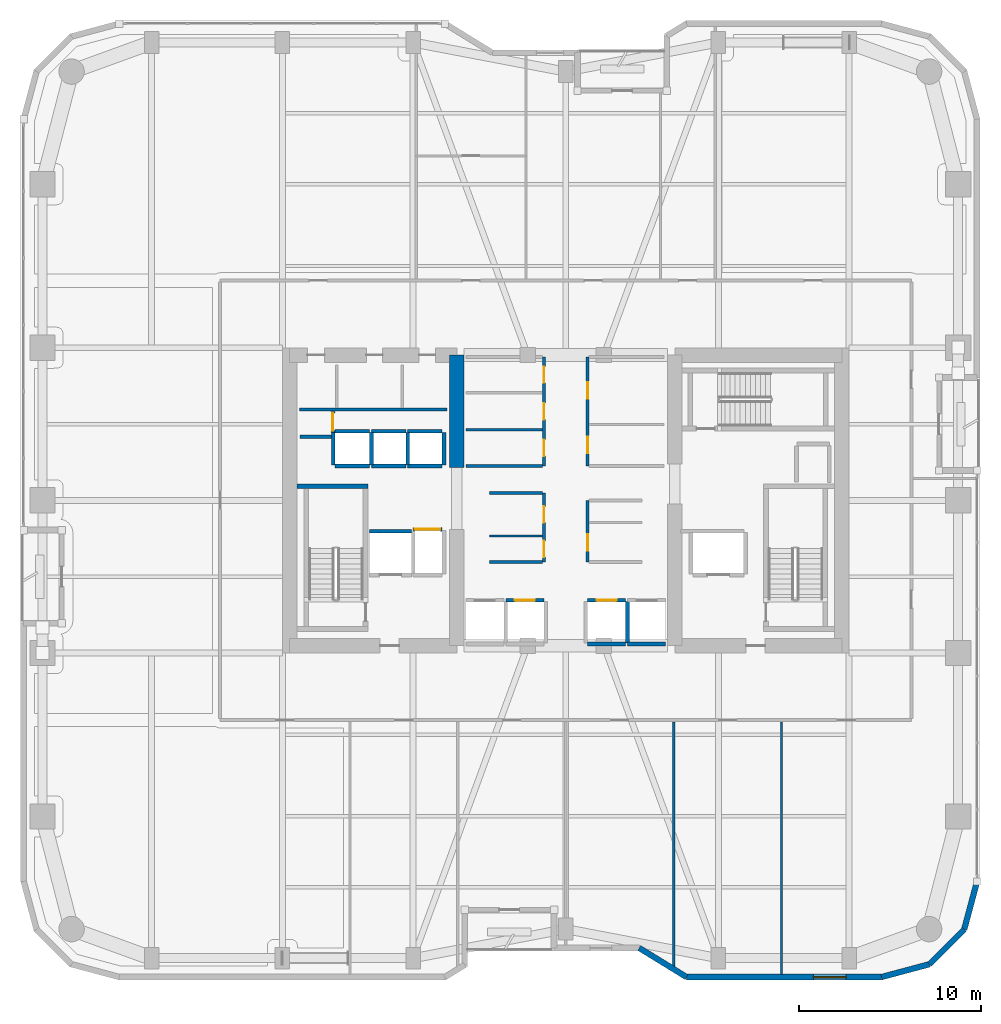
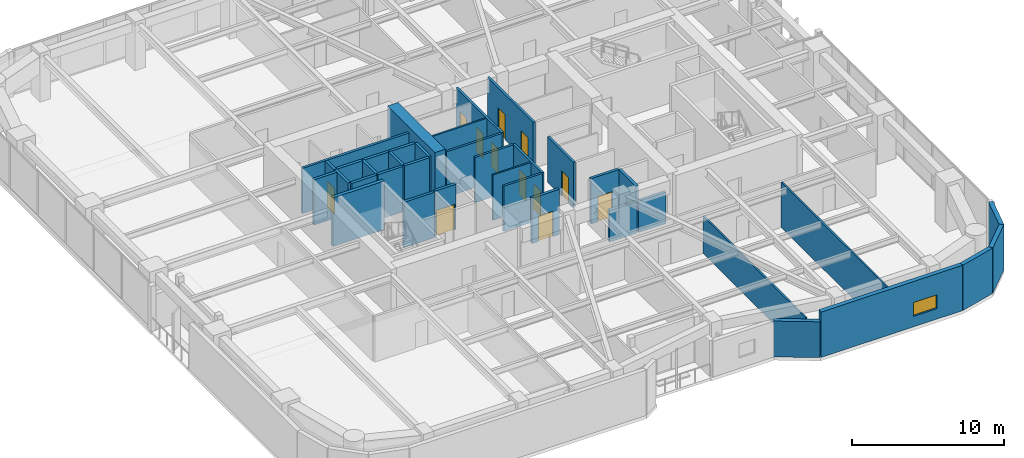
# One storey, part 19 of 24: 38 walls, 12 doors, 1 window, 13 openings.
"""IFC4 building model written with IfcOpenShell, lengths in metres."""

from ifc_helpers import new_model, si_unit, direction, frame, frame_2d, origin, place, context, subcontext, project, spatial, rectangle, extrude, material, layer, layer_set, type_object, element, fill, save


model = new_model("IFC4")

# Units and contexts
model_context = context("Model", 3, precision=1e-05, world=origin(), true_north=direction((0.0, 1.0)))
body_context = subcontext(model_context, "Body", "Model", "MODEL_VIEW")
ifc_project = project(units=[si_unit("LENGTHUNIT", "METRE"), si_unit("AREAUNIT", "SQUARE_METRE"), si_unit("VOLUMEUNIT", "CUBIC_METRE"), si_unit("PLANEANGLEUNIT", "RADIAN"), si_unit("MASSUNIT", "GRAM", prefix="KILO")], contexts=[model_context])

# Site, building, storey
site_placement = place(None, origin())
site = spatial("IfcSite", under=ifc_project, at=site_placement, CompositionType="ELEMENT")
building_placement = place(site_placement, origin())
building = spatial("IfcBuilding", under=site, at=building_placement, Name="Kiyonajd Concourse Tower", CompositionType="ELEMENT")
storey_placement = place(building_placement, frame((0.0, 0.0, 97.5)))
storey = spatial("IfcBuildingStorey", under=building, at=storey_placement, Name="L25", CompositionType="ELEMENT", Elevation=97.5)

# Walls
ifc_material_1 = material(Name="Concrete C70/85", Category="concrete")
ifc_layer_1 = layer(ifc_material_1, 0.800048828125)
ifc_layer_set_1 = layer_set([ifc_layer_1], Name="Concrete C70/85")
wall_type_1 = type_object("IfcWallType", Name="WL-CORE-800", PredefinedType="SHEAR", material=ifc_layer_set_1)
wall_1_placement = place(storey_placement, frame((42.0, 37.800048828125, 0.0), z_axis=(0.0, 0.0, 1.0), x_axis=(0.0, 1.0, 0.0)))
element("IfcWall", 1, at=wall_1_placement, inside=storey, type_object=wall_type_1, Name="L25 West Core Inner North Shear Wall", PredefinedType="SHEAR", context=body_context, shape_type="SweptSolid", body=[
    extrude(rectangle(XDim=6.199951171875, YDim=0.800048828125, at=frame_2d((3.10009765625, 0.0))), origin(), (0.0, 0.0, 1.0), 3.89990234375),
])
ifc_material_2 = material(Name="Precast concrete C50/60", Category="concrete")
ifc_layer_2 = layer(ifc_material_2, 0.320068359375)
ifc_layer_set_2 = layer_set([ifc_layer_2], Name="Precast concrete C50/60")
wall_type_2 = type_object("IfcWallType", Name="WL-EXT-320", PredefinedType="SOLIDWALL", material=ifc_layer_set_2)
wall_2_placement = place(storey_placement, frame((70.639892578125, 15.02099609375, 0.0), z_axis=(0.0, 0.0, 1.0), x_axis=(-0.258613949072, -0.965980758269, 0.0)))
element("IfcWall", 2, at=wall_2_placement, inside=storey, type_object=wall_type_2, Name="L25 Exterior Concrete Frame Wall 25", PredefinedType="SOLIDWALL", context=body_context, shape_type="SweptSolid", body=[
    extrude(rectangle(XDim=2.731201171875, YDim=0.320068359375, at=frame_2d((1.36572265625, 0.0))), origin(), (0.0, 0.0, 1.0), 3.639892578125),
])
wall_3_placement = place(storey_placement, frame((69.93359375, 12.3828125, 0.0), z_axis=(0.0, 0.0, 1.0), x_axis=(-0.707151821269, -0.707061738235, 0.0)))
element("IfcWall", 3, at=wall_3_placement, inside=storey, type_object=wall_type_2, Name="L25 Exterior Concrete Frame Wall 26", PredefinedType="SOLIDWALL", context=body_context, shape_type="SweptSolid", body=[
    extrude(rectangle(XDim=2.710205078125, YDim=0.320068359375, at=frame_2d((1.35498046875, 0.0))), origin(), (0.0, 0.0, 1.0), 3.639892578125),
])
wall_4_placement = place(storey_placement, frame((68.01708984375, 10.466552734375, 0.0), z_axis=(0.0, 0.0, 1.0), x_axis=(-0.965958423373, -0.25869736047, 0.0)))
element("IfcWall", 4, at=wall_4_placement, inside=storey, type_object=wall_type_2, Name="L25 Exterior Concrete Frame Wall 27", PredefinedType="SOLIDWALL", context=body_context, shape_type="SweptSolid", body=[
    extrude(rectangle(XDim=2.731201171875, YDim=0.320068359375, at=frame_2d((1.36572265625, 0.0))), origin(), (0.0, 0.0, 1.0), 3.639892578125),
])

# Wall, opening, window
wall_5_placement = place(storey_placement, frame((65.37890625, 9.760009765625, 0.0), z_axis=(0.0, 0.0, 1.0), x_axis=(-1.0, 0.0, 0.0)))
wall_5 = element("IfcWall", 5, at=wall_5_placement, inside=storey, type_object=wall_type_2, Name="L25 Exterior Concrete Frame Wall 28", PredefinedType="SOLIDWALL", context=body_context, shape_type="SweptSolid", body=[
    extrude(rectangle(XDim=10.733642578125, YDim=0.320068359375, at=frame_2d((5.36669921875, 0.0))), origin(), (0.0, 0.0, 1.0), 3.639892578125),
])
opening_1_placement = place(wall_5_placement, frame((1.944091796875, 0.0, 0.85009765625)))
opening_1 = element("IfcOpeningElement", 6, at=opening_1_placement, cuts=wall_5, Name="Opening WN1", PredefinedType="OPENING", context=body_context, shape_type="SweptSolid", body=[
    extrude(rectangle(XDim=1.800048828125, YDim=1.10009765625, at=frame_2d((0.89990234375, 0.550048828125))), frame((0.0, 0.169921875, 0.0), z_axis=(0.0, -1.0, 0.0), x_axis=(1.0, 0.0, 0.0)), (0.0, 0.0, 1.0), 0.340087890625),
])
ifc_material_3 = material(Name="Double Low-E Insulated Glass", Category="glass")
window_type = type_object("IfcWindowType", Name="WN-VIS-1800x1100", PartitioningType="SINGLE_PANEL", PredefinedType="WINDOW", material=ifc_material_3)
window_placement = place(opening_1_placement, origin())
window = element("IfcWindow", 7, at=window_placement, inside=storey, type_object=window_type, Name="L25 Modular Facade Vision Window 28", OverallHeight=1.10009765625, OverallWidth=1.800048828125, PartitioningType="SINGLE_PANEL", PredefinedType="WINDOW", context=body_context, shape_type="SweptSolid", body=[
    extrude(rectangle(XDim=1.800048828125, YDim=1.10009765625, at=frame_2d((0.89990234375, 0.550048828125))), frame((0.0, 0.030029296875, 0.0), z_axis=(0.0, -1.0, 0.0), x_axis=(1.0, 0.0, 0.0)), (0.0, 0.0, 1.0), 0.06005859375),
])
fill(opening_1, window)

# Walls
wall_6_placement = place(storey_placement, frame((54.645263671875, 9.760009765625, 0.0), z_axis=(0.0, 0.0, 1.0), x_axis=(-0.851630857047, 0.524142044989, 0.0)))
element("IfcWall", 8, at=wall_6_placement, inside=storey, type_object=wall_type_2, Name="L25 Exterior Concrete Frame Wall 29", PredefinedType="SOLIDWALL", context=body_context, shape_type="SweptSolid", body=[
    extrude(rectangle(XDim=3.052734375, YDim=0.320068359375, at=frame_2d((1.5263671875, 0.0))), origin(), (0.0, 0.0, 1.0), 2.875),
])
ifc_material_4 = material(Name="Gypsum Board on Cold-Formed Steel Stud", Category="steel")
ifc_layer_3 = layer(ifc_material_4, 0.125)
ifc_layer_set_3 = layer_set([ifc_layer_3], Name="Gypsum Board on Cold-Formed Steel Stud")
wall_type_3 = type_object("IfcWallType", Name="WL-PART-125", PredefinedType="PARTITIONING", material=ifc_layer_set_3)
wall_7_placement = place(storey_placement, frame((43.800048828125, 34.0439453125, 0.0), z_axis=(0.0, 0.0, 1.0), x_axis=(1.0, 0.0, 0.0)))
element("IfcWall", 9, at=wall_7_placement, inside=storey, type_object=wall_type_3, Name="L25 Interior Partition Wall", PredefinedType="PARTITIONING", context=body_context, shape_type="SweptSolid", body=[
    extrude(rectangle(XDim=2.912841796875, YDim=0.125, at=frame_2d((1.45654296875, 0.0))), origin(), (0.0, 0.0, 1.0), 3.639892578125),
])
wall_8_placement = place(storey_placement, frame((42.5, 39.8798828125, 0.0), z_axis=(0.0, 0.0, 1.0), x_axis=(1.0, 0.0, 0.0)))
element("IfcWall", 10, at=wall_8_placement, inside=storey, type_object=wall_type_3, Name="L25 Interior Partition Wall", PredefinedType="PARTITIONING", context=body_context, shape_type="SweptSolid", body=[
    extrude(rectangle(XDim=4.212890625, YDim=0.125, at=frame_2d((2.1064453125, 0.0))), origin(), (0.0, 0.0, 1.0), 3.639892578125),
])
wall_9_placement = place(storey_placement, frame((53.93994140625, 10.34912109375, 0.0), z_axis=(0.0, 0.0, 1.0), x_axis=(0.0, 1.0, 0.0)))
element("IfcWall", 11, at=wall_9_placement, inside=storey, type_object=wall_type_3, Name="L25 Interior Partition Wall", PredefinedType="PARTITIONING", context=body_context, shape_type="SweptSolid", body=[
    extrude(rectangle(XDim=13.4638671875, YDim=0.125, at=frame_2d((6.73193359375, 0.0))), origin(), (0.0, 0.0, 1.0), 3.0029296875),
])
wall_10_placement = place(storey_placement, frame((59.8798828125, 9.9150390625, 0.0), z_axis=(0.0, 0.0, 1.0), x_axis=(0.0, 1.0, 0.0)))
element("IfcWall", 12, at=wall_10_placement, inside=storey, type_object=wall_type_3, Name="L25 Interior Partition Wall", PredefinedType="PARTITIONING", context=body_context, shape_type="SweptSolid", body=[
    extrude(rectangle(XDim=13.89794921875, YDim=0.125, at=frame_2d((6.948974609375, 0.0))), origin(), (0.0, 0.0, 1.0), 3.639892578125),
])
ifc_layer_4 = layer(ifc_material_4, 0.18994140625)
ifc_layer_set_4 = layer_set([ifc_layer_4], Name="Gypsum Board on Cold-Formed Steel Stud")
wall_type_4 = type_object("IfcWallType", Name="WL-PLMB-190", PredefinedType="PLUMBINGWALL", material=ifc_layer_set_4)
wall_11_placement = place(storey_placement, frame((33.35009765625, 41.0, 0.0), z_axis=(0.0, 0.0, 1.0), x_axis=(1.0, 0.0, 0.0)))
element("IfcWall", 13, at=wall_11_placement, inside=storey, type_object=wall_type_4, Name="L25 Interior Partition Wall", PredefinedType="PLUMBINGWALL", context=body_context, shape_type="SweptSolid", body=[
    extrude(rectangle(XDim=8.099853515625, YDim=0.18994140625, at=frame_2d((4.0498046875, 0.0))), origin(), (0.0, 0.0, 1.0), 3.639892578125),
])
ifc_layer_5 = layer(ifc_material_4, 0.2099609375)
ifc_layer_set_5 = layer_set([ifc_layer_5], Name="Gypsum Board on Cold-Formed Steel Stud")
wall_type_5 = type_object("IfcWallType", Name="WL-SHAFT-210", PredefinedType="PARTITIONING", material=ifc_layer_set_5)
wall_12_placement = place(storey_placement, frame((33.360107421875, 39.5, 0.0), z_axis=(0.0, 0.0, 1.0), x_axis=(1.0, 0.0, 0.0)))
element("IfcWall", 14, at=wall_12_placement, inside=storey, type_object=wall_type_5, Name="L25 Shaft Enclosure Wall", PredefinedType="PARTITIONING", context=body_context, shape_type="SweptSolid", body=[
    extrude(rectangle(XDim=1.85986328125, YDim=0.2099609375, at=frame_2d((0.929931640625, 0.0))), origin(), (0.0, 0.0, 1.0), 3.639892578125),
])
wall_13_placement = place(storey_placement, frame((37.199951171875, 34.300048828125, 0.0), z_axis=(0.0, 0.0, 1.0), x_axis=(1.0, 0.0, 0.0)))
element("IfcWall", 15, at=wall_13_placement, inside=storey, type_object=wall_type_5, Name="L25 Shaft Enclosure Wall", PredefinedType="PARTITIONING", context=body_context, shape_type="SweptSolid", body=[
    extrude(rectangle(XDim=2.300048828125, YDim=0.2099609375, at=frame_2d((1.14990234375, 0.0))), origin(), (0.0, 0.0, 1.0), 3.639892578125),
])

# Wall, opening, door
wall_14_placement = place(storey_placement, frame((39.60009765625, 34.39990234375, 0.0), z_axis=(0.0, 0.0, 1.0), x_axis=(1.0, 0.0, 0.0)))
wall_14 = element("IfcWall", 16, at=wall_14_placement, inside=storey, type_object=wall_type_5, Name="L25 Shaft Enclosure Wall", PredefinedType="PARTITIONING", context=body_context, shape_type="SweptSolid", body=[
    extrude(rectangle(XDim=1.599853515625, YDim=0.2099609375, at=frame_2d((0.7998046875, 0.0))), origin(), (0.0, 0.0, 1.0), 3.639892578125),
])
opening_2_placement = place(wall_14_placement, frame((0.10009765625, 0.0, 0.0)))
opening_2 = element("IfcOpeningElement", 17, at=opening_2_placement, cuts=wall_14, Name="Opening LD3", PredefinedType="OPENING", context=body_context, shape_type="SweptSolid", body=[
    extrude(rectangle(XDim=1.39990234375, YDim=2.06005859375, at=frame_2d((0.699951171875, 1.030029296875))), frame((0.0, 0.114990234375, 0.0), z_axis=(0.0, -1.0, 0.0), x_axis=(1.0, 0.0, 0.0)), (0.0, 0.0, 1.0), 0.22998046875),
])
ifc_material_5 = material(Name="Brushed Stainless Steel Cab Assembly", Category="steel")
door_type_1 = type_object("IfcDoorType", Name="DR-LD-1400", OperationType="DOUBLE_DOOR_SLIDING", PredefinedType="DOOR", material=ifc_material_5)
door_1_placement = place(opening_2_placement, origin())
door_1 = element("IfcDoor", 18, at=door_1_placement, inside=storey, type_object=door_type_1, Name="L25 Lift SVL1 Sliding Landing Door", OperationType="DOUBLE_DOOR_SLIDING", OverallHeight=2.06005859375, OverallWidth=1.39990234375, PredefinedType="DOOR", context=body_context, shape_type="SweptSolid", body=[
    extrude(rectangle(XDim=1.39990234375, YDim=2.06005859375, at=frame_2d((0.699951171875, 1.030029296875))), frame((0.0, 0.02490234375, 0.0), z_axis=(0.0, -1.0, 0.0), x_axis=(1.0, 0.0, 0.0)), (0.0, 0.0, 1.0), 0.050048828125),
])
fill(opening_2, door_1)

wall_15_placement = place(storey_placement, frame((44.699951171875, 30.5, 0.0), z_axis=(0.0, 0.0, 1.0), x_axis=(1.0, 0.0, 0.0)))
wall_15 = element("IfcWall", 19, at=wall_15_placement, inside=storey, type_object=wall_type_5, Name="L25 Shaft Enclosure Wall", PredefinedType="PARTITIONING", context=body_context, shape_type="SweptSolid", body=[
    extrude(rectangle(XDim=2.10009765625, YDim=0.2099609375, at=frame_2d((1.050048828125, 0.0))), origin(), (0.0, 0.0, 1.0), 3.639892578125),
])
opening_3_placement = place(wall_15_placement, frame((0.5, 0.0, 0.0)))
opening_3 = element("IfcOpeningElement", 20, at=opening_3_placement, cuts=wall_15, Name="Opening LD1", PredefinedType="OPENING", context=body_context, shape_type="SweptSolid", body=[
    extrude(rectangle(XDim=1.10009765625, YDim=2.0400390625, at=frame_2d((0.550048828125, 1.02001953125))), frame((0.0, 0.114990234375, 0.0), z_axis=(0.0, -1.0, 0.0), x_axis=(1.0, 0.0, 0.0)), (0.0, 0.0, 1.0), 0.22998046875),
])
door_type_2 = type_object("IfcDoorType", Name="DR-LD-1100", OperationType="DOUBLE_DOOR_SLIDING", PredefinedType="DOOR", material=ifc_material_5)
door_2_placement = place(opening_3_placement, origin())
door_2 = element("IfcDoor", 21, at=door_2_placement, inside=storey, type_object=door_type_2, Name="L25 Lift PL-L2 Sliding Landing Door", OperationType="DOUBLE_DOOR_SLIDING", OverallHeight=2.0400390625, OverallWidth=1.10009765625, PredefinedType="DOOR", context=body_context, shape_type="SweptSolid", body=[
    extrude(rectangle(XDim=1.10009765625, YDim=2.0400390625, at=frame_2d((0.550048828125, 1.02001953125))), frame((0.0, 0.02490234375, 0.0), z_axis=(0.0, -1.0, 0.0), x_axis=(1.0, 0.0, 0.0)), (0.0, 0.0, 1.0), 0.050048828125),
])
fill(opening_3, door_2)

wall_16_placement = place(storey_placement, frame((49.199951171875, 30.5, 0.0), z_axis=(0.0, 0.0, 1.0), x_axis=(1.0, 0.0, 0.0)))
wall_16 = element("IfcWall", 22, at=wall_16_placement, inside=storey, type_object=wall_type_5, Name="L25 Shaft Enclosure Wall", PredefinedType="PARTITIONING", context=body_context, shape_type="SweptSolid", body=[
    extrude(rectangle(XDim=2.10009765625, YDim=0.2099609375, at=frame_2d((1.050048828125, 0.0))), origin(), (0.0, 0.0, 1.0), 3.639892578125),
])
opening_4_placement = place(wall_16_placement, frame((0.5, 0.0, 0.0)))
opening_4 = element("IfcOpeningElement", 23, at=opening_4_placement, cuts=wall_16, Name="Opening LD1", PredefinedType="OPENING", context=body_context, shape_type="SweptSolid", body=[
    extrude(rectangle(XDim=1.10009765625, YDim=2.0400390625, at=frame_2d((0.550048828125, 1.02001953125))), frame((0.0, 0.114990234375, 0.0), z_axis=(0.0, -1.0, 0.0), x_axis=(1.0, 0.0, 0.0)), (0.0, 0.0, 1.0), 0.22998046875),
])
door_3_placement = place(opening_4_placement, origin())
door_3 = element("IfcDoor", 24, at=door_3_placement, inside=storey, type_object=door_type_2, Name="L25 Lift PL-L3 Sliding Landing Door", OperationType="DOUBLE_DOOR_SLIDING", OverallHeight=2.0400390625, OverallWidth=1.10009765625, PredefinedType="DOOR", context=body_context, shape_type="SweptSolid", body=[
    extrude(rectangle(XDim=1.10009765625, YDim=2.0400390625, at=frame_2d((0.550048828125, 1.02001953125))), frame((0.0, 0.02490234375, 0.0), z_axis=(0.0, -1.0, 0.0), x_axis=(1.0, 0.0, 0.0)), (0.0, 0.0, 1.0), 0.050048828125),
])
fill(opening_4, door_3)

# Walls
wall_17_placement = place(storey_placement, frame((49.199951171875, 28.10009765625, 0.0), z_axis=(0.0, 0.0, 1.0), x_axis=(1.0, 0.0, 0.0)))
element("IfcWall", 25, at=wall_17_placement, inside=storey, type_object=wall_type_5, Name="L25 Shaft Enclosure Wall", PredefinedType="PARTITIONING", context=body_context, shape_type="SweptSolid", body=[
    extrude(rectangle(XDim=2.10009765625, YDim=0.2099609375, at=frame_2d((1.050048828125, 0.0))), origin(), (0.0, 0.0, 1.0), 2.52490234375),
])
wall_18_placement = place(storey_placement, frame((51.39990234375, 28.159912109375, 0.0), z_axis=(0.0, 0.0, 1.0), x_axis=(0.0, 1.0, 0.0)))
element("IfcWall", 26, at=wall_18_placement, inside=storey, type_object=wall_type_5, Name="L25 Shaft Enclosure Wall", PredefinedType="PARTITIONING", context=body_context, shape_type="SweptSolid", body=[
    extrude(rectangle(XDim=2.280029296875, YDim=0.2099609375, at=frame_2d((1.14013671875, 0.0))), origin(), (0.0, 0.0, 1.0), 3.639892578125),
])
wall_19_placement = place(storey_placement, frame((51.39990234375, 28.10009765625, 0.0), z_axis=(0.0, 0.0, 1.0), x_axis=(1.0, 0.0, 0.0)))
element("IfcWall", 27, at=wall_19_placement, inside=storey, type_object=wall_type_5, Name="L25 Shaft Enclosure Wall", PredefinedType="PARTITIONING", context=body_context, shape_type="SweptSolid", body=[
    extrude(rectangle(XDim=2.10009765625, YDim=0.2099609375, at=frame_2d((1.050048828125, 0.0))), origin(), (0.0, 0.0, 1.0), 2.52490234375),
])
for number, where, z_axis, x_axis, name in (
    (28, (35.300048828125, 37.89990234375, 0.0), (0.0, 0.0, 1.0), (1.0, 0.0, 0.0), "L25 Shaft Enclosure Wall"),
    (29, (35.300048828125, 39.800048828125, 0.0), (0.0, 0.0, 1.0), (1.0, 0.0, 0.0), "L25 Shaft Enclosure Wall"),
):
    element("IfcWall", number, at=place(storey_placement, frame(where, z_axis=z_axis, x_axis=x_axis)), inside=storey, type_object=wall_type_5, Name=name, PredefinedType="PARTITIONING", context=body_context, shape_type="SweptSolid", body=[
        extrude(rectangle(XDim=1.89990234375, YDim=0.2099609375, at=frame_2d((0.949951171875, 0.0))), origin(), (0.0, 0.0, 1.0), 3.639892578125),
    ])
for number, where, z_axis, x_axis, name in (
    (30, (35.199951171875, 37.9599609375, 0.0), (0.0, 0.0, 1.0), (0.0, 1.0, 0.0), "L25 Shaft Enclosure Wall"),
    (31, (37.300048828125, 37.9599609375, 0.0), (0.0, 0.0, 1.0), (0.0, 1.0, 0.0), "L25 Shaft Enclosure Wall"),
):
    element("IfcWall", number, at=place(storey_placement, frame(where, z_axis=z_axis, x_axis=x_axis)), inside=storey, type_object=wall_type_5, Name=name, PredefinedType="PARTITIONING", context=body_context, shape_type="SweptSolid", body=[
        extrude(rectangle(XDim=1.780029296875, YDim=0.2099609375, at=frame_2d((0.89013671875, 0.0))), origin(), (0.0, 0.0, 1.0), 3.639892578125),
    ])
for number, where, z_axis, x_axis, name in (
    (32, (37.300048828125, 37.89990234375, 0.0), (0.0, 0.0, 1.0), (1.0, 0.0, 0.0), "L25 Shaft Enclosure Wall"),
    (33, (37.300048828125, 39.800048828125, 0.0), (0.0, 0.0, 1.0), (1.0, 0.0, 0.0), "L25 Shaft Enclosure Wall"),
):
    element("IfcWall", number, at=place(storey_placement, frame(where, z_axis=z_axis, x_axis=x_axis)), inside=storey, type_object=wall_type_5, Name=name, PredefinedType="PARTITIONING", context=body_context, shape_type="SweptSolid", body=[
        extrude(rectangle(XDim=1.89990234375, YDim=0.2099609375, at=frame_2d((0.949951171875, 0.0))), origin(), (0.0, 0.0, 1.0), 3.639892578125),
    ])
wall_20_placement = place(storey_placement, frame((39.300048828125, 37.9599609375, 0.0), z_axis=(0.0, 0.0, 1.0), x_axis=(0.0, 1.0, 0.0)))
element("IfcWall", 34, at=wall_20_placement, inside=storey, type_object=wall_type_5, Name="L25 Shaft Enclosure Wall", PredefinedType="PARTITIONING", context=body_context, shape_type="SweptSolid", body=[
    extrude(rectangle(XDim=1.780029296875, YDim=0.2099609375, at=frame_2d((0.89013671875, 0.0))), origin(), (0.0, 0.0, 1.0), 3.639892578125),
])
for number, where, z_axis, x_axis, name in (
    (35, (39.300048828125, 37.89990234375, 0.0), (0.0, 0.0, 1.0), (1.0, 0.0, 0.0), "L25 Shaft Enclosure Wall"),
    (36, (39.300048828125, 39.800048828125, 0.0), (0.0, 0.0, 1.0), (1.0, 0.0, 0.0), "L25 Shaft Enclosure Wall"),
):
    element("IfcWall", number, at=place(storey_placement, frame(where, z_axis=z_axis, x_axis=x_axis)), inside=storey, type_object=wall_type_5, Name=name, PredefinedType="PARTITIONING", context=body_context, shape_type="SweptSolid", body=[
        extrude(rectangle(XDim=1.89990234375, YDim=0.2099609375, at=frame_2d((0.949951171875, 0.0))), origin(), (0.0, 0.0, 1.0), 3.639892578125),
    ])
wall_21_placement = place(storey_placement, frame((41.300048828125, 37.9599609375, 0.0), z_axis=(0.0, 0.0, 1.0), x_axis=(0.0, 1.0, 0.0)))
element("IfcWall", 37, at=wall_21_placement, inside=storey, type_object=wall_type_5, Name="L25 Shaft Enclosure Wall", PredefinedType="PARTITIONING", context=body_context, shape_type="SweptSolid", body=[
    extrude(rectangle(XDim=1.780029296875, YDim=0.2099609375, at=frame_2d((0.89013671875, 0.0))), origin(), (0.0, 0.0, 1.0), 3.639892578125),
])

# Wall, opening, door
wall_22_placement = place(storey_placement, frame((35.179931640625, 39.739990234375, 0.0), z_axis=(0.0, 0.0, 1.0), x_axis=(0.0, 1.0, 0.0)))
wall_22 = element("IfcWall", 38, at=wall_22_placement, inside=storey, type_object=wall_type_5, Name="L25 Interior Partition Wall", PredefinedType="PARTITIONING", context=body_context, shape_type="SweptSolid", body=[
    extrude(rectangle(XDim=1.159912109375, YDim=0.2099609375, at=frame_2d((0.580078125, 0.0))), origin(), (0.0, 0.0, 1.0), 3.639892578125),
])
opening_5_placement = place(wall_22_placement, frame((0.10498046875, 0.0, 0.0)))
opening_5 = element("IfcOpeningElement", 39, at=opening_5_placement, cuts=wall_22, Name="Opening DF3", PredefinedType="OPENING", context=body_context, shape_type="SweptSolid", body=[
    extrude(rectangle(XDim=0.949951171875, YDim=2.0400390625, at=frame_2d((0.47509765625, 1.02001953125))), frame((0.0, 0.114990234375, 0.0), z_axis=(0.0, -1.0, 0.0), x_axis=(1.0, 0.0, 0.0)), (0.0, 0.0, 1.0), 0.22998046875),
])
door_type_3 = type_object("IfcDoorType", Name="DR-FD60-950", OperationType="NOTDEFINED", PredefinedType="DOOR", material=ifc_material_5)
door_4_placement = place(opening_5_placement, origin())
door_4 = element("IfcDoor", 40, at=door_4_placement, inside=storey, type_object=door_type_3, Name="L25 Electrical Riser Access Door", OperationType="SINGLE_SWING_LEFT", OverallHeight=2.0400390625, OverallWidth=0.949951171875, PredefinedType="DOOR", context=body_context, shape_type="SweptSolid", body=[
    extrude(rectangle(XDim=0.949951171875, YDim=2.0400390625, at=frame_2d((0.47509765625, 1.02001953125))), frame((0.0, 0.02490234375, 0.0), z_axis=(0.0, -1.0, 0.0), x_axis=(1.0, 0.0, 0.0)), (0.0, 0.0, 1.0), 0.050048828125),
])
fill(opening_5, door_4)

# Wall, openings, doors
ifc_layer_6 = layer(ifc_material_4, 0.169921875)
ifc_layer_set_6 = layer_set([ifc_layer_6], Name="Gypsum Board on Cold-Formed Steel Stud")
wall_type_6 = type_object("IfcWallType", Name="WL-SMK-170", PredefinedType="PARTITIONING", material=ifc_layer_set_6)
wall_23_placement = place(storey_placement, frame((46.800048828125, 32.60009765625, 0.0), z_axis=(0.0, 0.0, 1.0), x_axis=(0.0, 1.0, 0.0)))
wall_23 = element("IfcWall", 41, at=wall_23_placement, inside=storey, type_object=wall_type_6, Name="L25 Interior Partition Wall", PredefinedType="PARTITIONING", context=body_context, shape_type="SweptSolid", body=[
    extrude(rectangle(XDim=3.7998046875, YDim=0.169921875, at=frame_2d((1.89990234375, 0.0))), origin(), (0.0, 0.0, 1.0), 3.639892578125),
])
opening_6_placement = place(wall_23_placement, frame((0.27197265625, 0.0, 0.0)))
opening_6 = element("IfcOpeningElement", 42, at=opening_6_placement, cuts=wall_23, Name="Opening DI2", PredefinedType="OPENING", context=body_context, shape_type="SweptSolid", body=[
    extrude(rectangle(XDim=0.89990234375, YDim=2.02001953125, at=frame_2d((0.449951171875, 1.010009765625))), frame((0.0, 0.094970703125, 0.0), z_axis=(0.0, -1.0, 0.0), x_axis=(1.0, 0.0, 0.0)), (0.0, 0.0, 1.0), 0.18994140625),
])
opening_7_placement = place(wall_23_placement, frame((2.172119140625, 0.0, 0.0)))
opening_7 = element("IfcOpeningElement", 43, at=opening_7_placement, cuts=wall_23, Name="Opening DI2", PredefinedType="OPENING", context=body_context, shape_type="SweptSolid", body=[
    extrude(rectangle(XDim=0.89990234375, YDim=2.02001953125, at=frame_2d((0.449951171875, 1.010009765625))), frame((0.0, 0.094970703125, 0.0), z_axis=(0.0, -1.0, 0.0), x_axis=(1.0, 0.0, 0.0)), (0.0, 0.0, 1.0), 0.18994140625),
])
ifc_material_6 = material(Name="Natural Oak Acoustic Timber Veneer", Category="wood")
door_type_4 = type_object("IfcDoorType", Name="DR-INT-900", OperationType="NOTDEFINED", PredefinedType="DOOR", material=ifc_material_6)
door_5_placement = place(opening_6_placement, origin())
door_5 = element("IfcDoor", 44, at=door_5_placement, inside=storey, type_object=door_type_4, Name="L25 Interior Door", OperationType="SINGLE_SWING_RIGHT", OverallHeight=2.02001953125, OverallWidth=0.89990234375, PredefinedType="DOOR", context=body_context, shape_type="SweptSolid", body=[
    extrude(rectangle(XDim=0.89990234375, YDim=2.02001953125, at=frame_2d((0.449951171875, 1.010009765625))), frame((0.0, 0.02490234375, 0.0), z_axis=(0.0, -1.0, 0.0), x_axis=(1.0, 0.0, 0.0)), (0.0, 0.0, 1.0), 0.050048828125),
])
fill(opening_6, door_5)
door_6_placement = place(opening_7_placement, origin())
door_6 = element("IfcDoor", 45, at=door_6_placement, inside=storey, type_object=door_type_4, Name="L25 Interior Door", OperationType="SINGLE_SWING_LEFT", OverallHeight=2.02001953125, OverallWidth=0.89990234375, PredefinedType="DOOR", context=body_context, shape_type="SweptSolid", body=[
    extrude(rectangle(XDim=0.89990234375, YDim=2.02001953125, at=frame_2d((0.449951171875, 1.010009765625))), frame((0.0, 0.02490234375, 0.0), z_axis=(0.0, -1.0, 0.0), x_axis=(1.0, 0.0, 0.0)), (0.0, 0.0, 1.0), 0.050048828125),
])
fill(opening_7, door_6)

# Walls
for number, where, z_axis, x_axis, name in (
    (46, (43.800048828125, 32.60009765625, 0.0), (0.0, 0.0, 1.0), (1.0, 0.0, 0.0), "L25 Interior Partition Wall"),
    (47, (43.800048828125, 36.39990234375, 0.0), (0.0, 0.0, 1.0), (1.0, 0.0, 0.0), "L25 Interior Partition Wall"),
):
    element("IfcWall", number, at=place(storey_placement, frame(where, z_axis=z_axis, x_axis=x_axis)), inside=storey, type_object=wall_type_6, Name=name, PredefinedType="PARTITIONING", context=body_context, shape_type="SweptSolid", body=[
        extrude(rectangle(XDim=2.912841796875, YDim=0.169921875, at=frame_2d((1.45654296875, 0.0))), origin(), (0.0, 0.0, 1.0), 3.639892578125),
    ])

# Wall, opening, door
wall_24_placement = place(storey_placement, frame((49.199951171875, 32.60009765625, 0.0), z_axis=(0.0, 0.0, 1.0), x_axis=(0.0, 1.0, 0.0)))
wall_24 = element("IfcWall", 48, at=wall_24_placement, inside=storey, type_object=wall_type_6, Name="L25 Interior Partition Wall", PredefinedType="PARTITIONING", context=body_context, shape_type="SweptSolid", body=[
    extrude(rectangle(XDim=3.39990234375, YDim=0.169921875, at=frame_2d((1.699951171875, 0.0))), origin(), (0.0, 0.0, 1.0), 3.639892578125),
])
opening_8_placement = place(wall_24_placement, frame((0.637939453125, 0.0, 0.0)))
opening_8 = element("IfcOpeningElement", 49, at=opening_8_placement, cuts=wall_24, Name="Opening DF4", PredefinedType="OPENING", context=body_context, shape_type="SweptSolid", body=[
    extrude(rectangle(XDim=0.89990234375, YDim=2.02001953125, at=frame_2d((0.449951171875, 1.010009765625))), frame((0.0, 0.094970703125, 0.0), z_axis=(0.0, -1.0, 0.0), x_axis=(1.0, 0.0, 0.0)), (0.0, 0.0, 1.0), 0.18994140625),
])
door_type_5 = type_object("IfcDoorType", Name="DR-FD60-900", OperationType="NOTDEFINED", PredefinedType="DOOR", material=ifc_material_5)
door_7_placement = place(opening_8_placement, origin())
door_7 = element("IfcDoor", 50, at=door_7_placement, inside=storey, type_object=door_type_5, Name="L25 Interior Door", OperationType="SINGLE_SWING_RIGHT", OverallHeight=2.02001953125, OverallWidth=0.89990234375, PredefinedType="DOOR", context=body_context, shape_type="SweptSolid", body=[
    extrude(rectangle(XDim=0.89990234375, YDim=2.02001953125, at=frame_2d((0.449951171875, 1.010009765625))), frame((0.0, 0.02490234375, 0.0), z_axis=(0.0, -1.0, 0.0), x_axis=(1.0, 0.0, 0.0)), (0.0, 0.0, 1.0), 0.050048828125),
])
fill(opening_8, door_7)

# Wall, openings, doors
wall_25_placement = place(storey_placement, frame((46.800048828125, 37.89990234375, 0.0), z_axis=(0.0, 0.0, 1.0), x_axis=(0.0, 1.0, 0.0)))
wall_25 = element("IfcWall", 51, at=wall_25_placement, inside=storey, type_object=wall_type_6, Name="L25 Interior Partition Wall", PredefinedType="PARTITIONING", context=body_context, shape_type="SweptSolid", body=[
    extrude(rectangle(XDim=6.0, YDim=0.169921875, at=frame_2d((3.0, 0.0))), origin(), (0.0, 0.0, 1.0), 3.639892578125),
])
opening_9_placement = place(wall_25_placement, frame((0.5400390625, 0.0, 0.0)))
opening_9 = element("IfcOpeningElement", 52, at=opening_9_placement, cuts=wall_25, Name="Opening DI2", PredefinedType="OPENING", context=body_context, shape_type="SweptSolid", body=[
    extrude(rectangle(XDim=0.89990234375, YDim=2.02001953125, at=frame_2d((0.449951171875, 1.010009765625))), frame((0.0, 0.094970703125, 0.0), z_axis=(0.0, -1.0, 0.0), x_axis=(1.0, 0.0, 0.0)), (0.0, 0.0, 1.0), 0.18994140625),
])
opening_10_placement = place(wall_25_placement, frame((2.550048828125, 0.0, 0.0)))
opening_10 = element("IfcOpeningElement", 53, at=opening_10_placement, cuts=wall_25, Name="Opening DI2", PredefinedType="OPENING", context=body_context, shape_type="SweptSolid", body=[
    extrude(rectangle(XDim=0.89990234375, YDim=2.02001953125, at=frame_2d((0.449951171875, 1.010009765625))), frame((0.0, 0.094970703125, 0.0), z_axis=(0.0, -1.0, 0.0), x_axis=(1.0, 0.0, 0.0)), (0.0, 0.0, 1.0), 0.18994140625),
])
opening_11_placement = place(wall_25_placement, frame((4.56005859375, 0.0, 0.0)))
opening_11 = element("IfcOpeningElement", 54, at=opening_11_placement, cuts=wall_25, Name="Opening DI2", PredefinedType="OPENING", context=body_context, shape_type="SweptSolid", body=[
    extrude(rectangle(XDim=0.89990234375, YDim=2.02001953125, at=frame_2d((0.449951171875, 1.010009765625))), frame((0.0, 0.094970703125, 0.0), z_axis=(0.0, -1.0, 0.0), x_axis=(1.0, 0.0, 0.0)), (0.0, 0.0, 1.0), 0.18994140625),
])
door_8_placement = place(opening_9_placement, origin())
door_8 = element("IfcDoor", 55, at=door_8_placement, inside=storey, type_object=door_type_4, Name="L25 Interior Door", OperationType="SINGLE_SWING_LEFT", OverallHeight=2.02001953125, OverallWidth=0.89990234375, PredefinedType="DOOR", context=body_context, shape_type="SweptSolid", body=[
    extrude(rectangle(XDim=0.89990234375, YDim=2.02001953125, at=frame_2d((0.449951171875, 1.010009765625))), frame((0.0, 0.02490234375, 0.0), z_axis=(0.0, -1.0, 0.0), x_axis=(1.0, 0.0, 0.0)), (0.0, 0.0, 1.0), 0.050048828125),
])
fill(opening_9, door_8)
door_9_placement = place(opening_10_placement, origin())
door_9 = element("IfcDoor", 56, at=door_9_placement, inside=storey, type_object=door_type_4, Name="L25 Interior Door", OperationType="SINGLE_SWING_RIGHT", OverallHeight=2.02001953125, OverallWidth=0.89990234375, PredefinedType="DOOR", context=body_context, shape_type="SweptSolid", body=[
    extrude(rectangle(XDim=0.89990234375, YDim=2.02001953125, at=frame_2d((0.449951171875, 1.010009765625))), frame((0.0, 0.02490234375, 0.0), z_axis=(0.0, -1.0, 0.0), x_axis=(1.0, 0.0, 0.0)), (0.0, 0.0, 1.0), 0.050048828125),
])
fill(opening_10, door_9)
door_10_placement = place(opening_11_placement, origin())
door_10 = element("IfcDoor", 57, at=door_10_placement, inside=storey, type_object=door_type_4, Name="L25 Interior Door", OperationType="SINGLE_SWING_LEFT", OverallHeight=2.02001953125, OverallWidth=0.89990234375, PredefinedType="DOOR", context=body_context, shape_type="SweptSolid", body=[
    extrude(rectangle(XDim=0.89990234375, YDim=2.02001953125, at=frame_2d((0.449951171875, 1.010009765625))), frame((0.0, 0.02490234375, 0.0), z_axis=(0.0, -1.0, 0.0), x_axis=(1.0, 0.0, 0.0)), (0.0, 0.0, 1.0), 0.050048828125),
])
fill(opening_11, door_10)

# Wall
wall_26_placement = place(storey_placement, frame((42.5, 37.89990234375, 0.0), z_axis=(0.0, 0.0, 1.0), x_axis=(1.0, 0.0, 0.0)))
element("IfcWall", 58, at=wall_26_placement, inside=storey, type_object=wall_type_6, Name="L25 Interior Partition Wall", PredefinedType="PARTITIONING", context=body_context, shape_type="SweptSolid", body=[
    extrude(rectangle(XDim=4.212890625, YDim=0.169921875, at=frame_2d((2.1064453125, 0.0))), origin(), (0.0, 0.0, 1.0), 3.639892578125),
])

# Wall, openings, doors
wall_27_placement = place(storey_placement, frame((49.199951171875, 37.89990234375, 0.0), z_axis=(0.0, 0.0, 1.0), x_axis=(0.0, 1.0, 0.0)))
wall_27 = element("IfcWall", 59, at=wall_27_placement, inside=storey, type_object=wall_type_6, Name="L25 Interior Partition Wall", PredefinedType="PARTITIONING", context=body_context, shape_type="SweptSolid", body=[
    extrude(rectangle(XDim=6.0, YDim=0.169921875, at=frame_2d((3.0, 0.0))), origin(), (0.0, 0.0, 1.0), 3.639892578125),
])
opening_12_placement = place(wall_27_placement, frame((0.68994140625, 0.0, 0.0)))
opening_12 = element("IfcOpeningElement", 60, at=opening_12_placement, cuts=wall_27, Name="Opening DI2", PredefinedType="OPENING", context=body_context, shape_type="SweptSolid", body=[
    extrude(rectangle(XDim=0.89990234375, YDim=2.02001953125, at=frame_2d((0.449951171875, 1.010009765625))), frame((0.0, 0.094970703125, 0.0), z_axis=(0.0, -1.0, 0.0), x_axis=(1.0, 0.0, 0.0)), (0.0, 0.0, 1.0), 0.18994140625),
])
opening_13_placement = place(wall_27_placement, frame((3.68994140625, 0.0, 0.0)))
opening_13 = element("IfcOpeningElement", 61, at=opening_13_placement, cuts=wall_27, Name="Opening DI2", PredefinedType="OPENING", context=body_context, shape_type="SweptSolid", body=[
    extrude(rectangle(XDim=0.89990234375, YDim=2.02001953125, at=frame_2d((0.449951171875, 1.010009765625))), frame((0.0, 0.094970703125, 0.0), z_axis=(0.0, -1.0, 0.0), x_axis=(1.0, 0.0, 0.0)), (0.0, 0.0, 1.0), 0.18994140625),
])
door_11_placement = place(opening_12_placement, origin())
door_11 = element("IfcDoor", 62, at=door_11_placement, inside=storey, type_object=door_type_4, Name="L25 Interior Door", OperationType="SINGLE_SWING_RIGHT", OverallHeight=2.02001953125, OverallWidth=0.89990234375, PredefinedType="DOOR", context=body_context, shape_type="SweptSolid", body=[
    extrude(rectangle(XDim=0.89990234375, YDim=2.02001953125, at=frame_2d((0.449951171875, 1.010009765625))), frame((0.0, 0.02490234375, 0.0), z_axis=(0.0, -1.0, 0.0), x_axis=(1.0, 0.0, 0.0)), (0.0, 0.0, 1.0), 0.050048828125),
])
fill(opening_12, door_11)
door_12_placement = place(opening_13_placement, origin())
door_12 = element("IfcDoor", 63, at=door_12_placement, inside=storey, type_object=door_type_4, Name="L25 Interior Door", OperationType="SINGLE_SWING_LEFT", OverallHeight=2.02001953125, OverallWidth=0.89990234375, PredefinedType="DOOR", context=body_context, shape_type="SweptSolid", body=[
    extrude(rectangle(XDim=0.89990234375, YDim=2.02001953125, at=frame_2d((0.449951171875, 1.010009765625))), frame((0.0, 0.02490234375, 0.0), z_axis=(0.0, -1.0, 0.0), x_axis=(1.0, 0.0, 0.0)), (0.0, 0.0, 1.0), 0.050048828125),
])
fill(opening_13, door_12)

# Wall
ifc_material_7 = material(Name="Concrete C50/60", Category="concrete")
ifc_layer_7 = layer(ifc_material_7, 0.260009765625)
ifc_layer_set_7 = layer_set([ifc_layer_7], Name="Concrete C50/60")
wall_type_7 = type_object("IfcWallType", Name="WL-STAIR-260", PredefinedType="SHEAR", material=ifc_layer_set_7)
wall_28_placement = place(storey_placement, frame((33.199951171875, 36.780029296875, 0.0), z_axis=(0.0, 0.0, 1.0), x_axis=(1.0, 0.0, 0.0)))
element("IfcWall", 64, at=wall_28_placement, inside=storey, type_object=wall_type_7, Name="L25 Stair ST1 Structural North Wall", PredefinedType="SHEAR", context=body_context, shape_type="SweptSolid", body=[
    extrude(rectangle(XDim=3.91015625, YDim=0.260009765625, at=frame_2d((1.955078125, 0.0))), origin(), (0.0, 0.0, 1.0), 3.89990234375),
])

save(model, "model.ifc")
